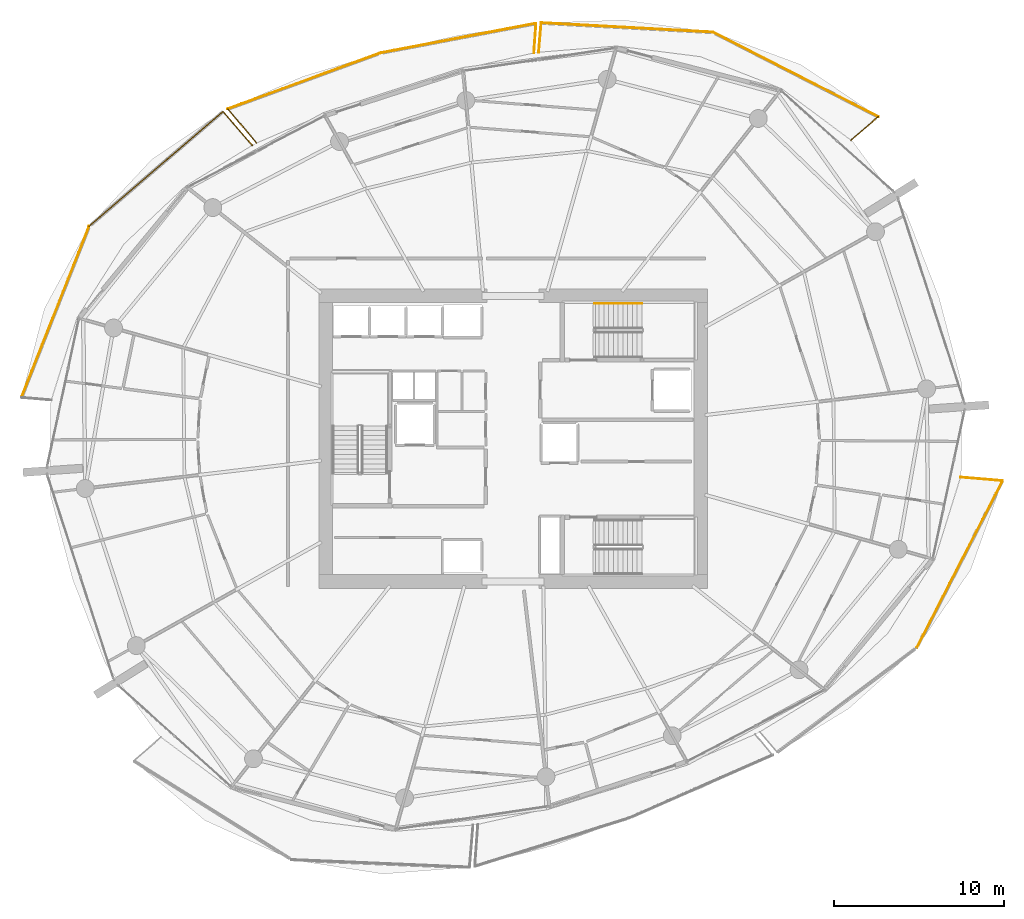
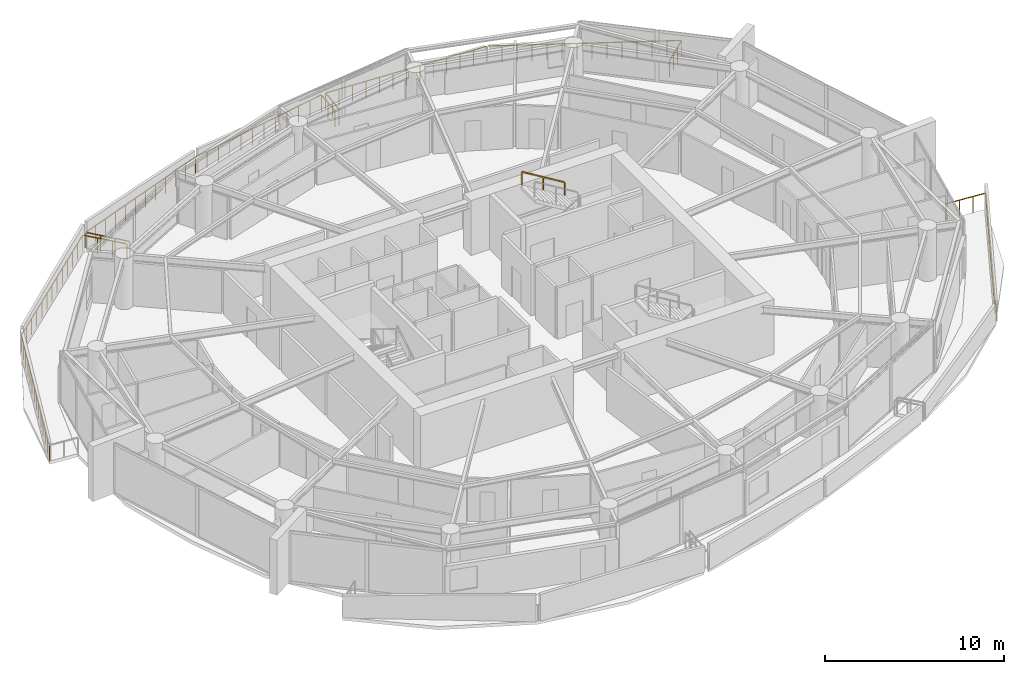
# One storey, part 20 of 20: 14 railings.
"""IFC4 building model written with IfcOpenShell, lengths in metres."""

from ifc_helpers import new_model, si_unit, direction, frame, origin, origin_2d, place, context, subcontext, project, spatial, rectangle, extrude, material, type_object, element, save


model = new_model("IFC4")

# Units and contexts
model_context = context("Model", 3, precision=1e-05, world=origin(), true_north=direction((0.0, 1.0)))
body_context = subcontext(model_context, "Body", "Model", "MODEL_VIEW")
ifc_project = project(units=[si_unit("LENGTHUNIT", "METRE"), si_unit("AREAUNIT", "SQUARE_METRE"), si_unit("VOLUMEUNIT", "CUBIC_METRE"), si_unit("PLANEANGLEUNIT", "RADIAN"), si_unit("MASSUNIT", "GRAM", prefix="KILO")], contexts=[model_context])

# Site, building, storey
site_placement = place(None, origin())
site = spatial("IfcSite", under=ifc_project, at=site_placement, CompositionType="ELEMENT")
building_placement = place(site_placement, origin())
building = spatial("IfcBuilding", under=site, at=building_placement, Name="Kazma Halo Residences", CompositionType="ELEMENT")
storey_placement = place(building_placement, frame((0.0, 0.0, 146.550048828125)))
storey = spatial("IfcBuildingStorey", under=building, at=storey_placement, Name="L36", CompositionType="ELEMENT", Elevation=146.550048828125)

# Railings
ifc_material_1 = material(Name="Aluminium AW-6063 T6 Brushed Cap Rail", Category="aluminium")
railing_type_1 = type_object("IfcRailingType", Name="RLG-BAL-CAP-1120", PredefinedType="BALUSTRADE", material=ifc_material_1)
railing_1_placement = place(storey_placement, frame((68.294677734375, 59.548583984375, 0.0)))
element("IfcRailing", 1, at=railing_1_placement, inside=storey, type_object=railing_type_1, Name="L36 NE wave balcony guard 1", PredefinedType="BALUSTRADE", context=body_context, shape_type="SweptSolid", body=[
    extrude(rectangle(XDim=0.050048828125, YDim=0.050048828125, at=origin_2d()), frame((0.0322265625, 0.02783203125, 1.09521484375), z_axis=(0.756372461646, 0.654141192147, 0.0), x_axis=(-0.654141192147, 0.756372461646, 0.0)), (0.0, 0.0, 1.0), 2.023681640625),
    extrude(rectangle(XDim=0.0400390625, YDim=0.0400390625, at=origin_2d()), origin(), (0.0, 0.0, 1.0), 1.05810546875),
    extrude(rectangle(XDim=0.0400390625, YDim=0.0400390625, at=origin_2d()), frame((0.53173828125, 0.459716796875, 0.0)), (0.0, 0.0, 1.0), 1.05810546875),
    extrude(rectangle(XDim=0.0400390625, YDim=0.0400390625, at=origin_2d()), frame((1.063232421875, 0.919677734375, 0.0)), (0.0, 0.0, 1.0), 1.05810546875),
    extrude(rectangle(XDim=0.0400390625, YDim=0.0400390625, at=origin_2d()), frame((1.594970703125, 1.37939453125, 0.0)), (0.0, 0.0, 1.0), 1.05810546875),
])
railing_2_placement = place(storey_placement, frame((69.8896484375, 60.927978515625, 0.0)))
element("IfcRailing", 2, at=railing_2_placement, inside=storey, type_object=railing_type_1, Name="L36 NE wave balcony guard 2", PredefinedType="BALUSTRADE", context=body_context, shape_type="SweptSolid", body=[
    extrude(rectangle(XDim=0.050048828125, YDim=0.050048828125, at=origin_2d()), frame((-0.037841796875, 0.019287109375, 1.09521484375), z_axis=(-0.890194561223, 0.45558055618, 0.0), x_axis=(-0.45558055618, -0.890194561223, 0.0)), (0.0, 0.0, 1.0), 10.82568359375),
    extrude(rectangle(XDim=0.0400390625, YDim=0.0400390625, at=origin_2d()), origin(), (0.0, 0.0, 1.0), 1.05810546875),
    extrude(rectangle(XDim=0.0400390625, YDim=0.0400390625, at=origin_2d()), frame((-0.7470703125, 0.38232421875, 0.0)), (0.0, 0.0, 1.0), 1.05810546875),
    extrude(rectangle(XDim=0.0400390625, YDim=0.0400390625, at=origin_2d()), frame((-1.494140625, 0.7646484375, 0.0)), (0.0, 0.0, 1.0), 1.05810546875),
    extrude(rectangle(XDim=0.0400390625, YDim=0.0400390625, at=origin_2d()), frame((-2.241455078125, 1.14697265625, 0.0)), (0.0, 0.0, 1.0), 1.05810546875),
    extrude(rectangle(XDim=0.0400390625, YDim=0.0400390625, at=origin_2d()), frame((-2.988525390625, 1.529541015625, 0.0)), (0.0, 0.0, 1.0), 1.05810546875),
    extrude(rectangle(XDim=0.0400390625, YDim=0.0400390625, at=origin_2d()), frame((-3.735595703125, 1.911865234375, 0.0)), (0.0, 0.0, 1.0), 1.05810546875),
    extrude(rectangle(XDim=0.0400390625, YDim=0.0400390625, at=origin_2d()), frame((-4.482666015625, 2.294189453125, 0.0)), (0.0, 0.0, 1.0), 1.05810546875),
    extrude(rectangle(XDim=0.0400390625, YDim=0.0400390625, at=origin_2d()), frame((-5.22998046875, 2.676513671875, 0.0)), (0.0, 0.0, 1.0), 1.05810546875),
    extrude(rectangle(XDim=0.0400390625, YDim=0.0400390625, at=origin_2d()), frame((-5.97705078125, 3.058837890625, 0.0)), (0.0, 0.0, 1.0), 1.05810546875),
    extrude(rectangle(XDim=0.0400390625, YDim=0.0400390625, at=origin_2d()), frame((-6.72412109375, 3.441162109375, 0.0)), (0.0, 0.0, 1.0), 1.05810546875),
    extrude(rectangle(XDim=0.0400390625, YDim=0.0400390625, at=origin_2d()), frame((-7.47119140625, 3.82373046875, 0.0)), (0.0, 0.0, 1.0), 1.05810546875),
    extrude(rectangle(XDim=0.0400390625, YDim=0.0400390625, at=origin_2d()), frame((-8.218505859375, 4.2060546875, 0.0)), (0.0, 0.0, 1.0), 1.05810546875),
    extrude(rectangle(XDim=0.0400390625, YDim=0.0400390625, at=origin_2d()), frame((-8.965576171875, 4.58837890625, 0.0)), (0.0, 0.0, 1.0), 1.05810546875),
    extrude(rectangle(XDim=0.0400390625, YDim=0.0400390625, at=origin_2d()), frame((-9.712646484375, 4.970703125, 0.0)), (0.0, 0.0, 1.0), 1.05810546875),
])
railing_3_placement = place(storey_placement, frame((60.177001953125, 65.898681640625, 0.0)))
element("IfcRailing", 3, at=railing_3_placement, inside=storey, type_object=railing_type_1, Name="L36 NE wave balcony guard 3", PredefinedType="BALUSTRADE", context=body_context, shape_type="SweptSolid", body=[
    extrude(rectangle(XDim=0.050048828125, YDim=0.050048828125, at=origin_2d()), frame((-0.04248046875, 0.002197265625, 1.09521484375), z_axis=(-0.998521071605, 0.054366069945, 0.0), x_axis=(-0.054366069945, -0.998521071605, 0.0)), (0.0, 0.0, 1.0), 10.032470703125),
    extrude(rectangle(XDim=0.0400390625, YDim=0.0400390625, at=origin_2d()), origin(), (0.0, 0.0, 1.0), 1.05810546875),
    extrude(rectangle(XDim=0.0400390625, YDim=0.0400390625, at=origin_2d()), frame((-0.841796875, 0.0458984375, 0.0)), (0.0, 0.0, 1.0), 1.05810546875),
    extrude(rectangle(XDim=0.0400390625, YDim=0.0400390625, at=origin_2d()), frame((-1.683837890625, 0.091796875, 0.0)), (0.0, 0.0, 1.0), 1.05810546875),
    extrude(rectangle(XDim=0.0400390625, YDim=0.0400390625, at=origin_2d()), frame((-2.525634765625, 0.137451171875, 0.0)), (0.0, 0.0, 1.0), 1.05810546875),
    extrude(rectangle(XDim=0.0400390625, YDim=0.0400390625, at=origin_2d()), frame((-3.367431640625, 0.183349609375, 0.0)), (0.0, 0.0, 1.0), 1.05810546875),
    extrude(rectangle(XDim=0.0400390625, YDim=0.0400390625, at=origin_2d()), frame((-4.20947265625, 0.229248046875, 0.0)), (0.0, 0.0, 1.0), 1.05810546875),
    extrude(rectangle(XDim=0.0400390625, YDim=0.0400390625, at=origin_2d()), frame((-5.05126953125, 0.27490234375, 0.0)), (0.0, 0.0, 1.0), 1.05810546875),
    extrude(rectangle(XDim=0.0400390625, YDim=0.0400390625, at=origin_2d()), frame((-5.89306640625, 0.32080078125, 0.0)), (0.0, 0.0, 1.0), 1.05810546875),
    extrude(rectangle(XDim=0.0400390625, YDim=0.0400390625, at=origin_2d()), frame((-6.735107421875, 0.36669921875, 0.0)), (0.0, 0.0, 1.0), 1.05810546875),
    extrude(rectangle(XDim=0.0400390625, YDim=0.0400390625, at=origin_2d()), frame((-7.576904296875, 0.41259765625, 0.0)), (0.0, 0.0, 1.0), 1.05810546875),
    extrude(rectangle(XDim=0.0400390625, YDim=0.0400390625, at=origin_2d()), frame((-8.418701171875, 0.45849609375, 0.0)), (0.0, 0.0, 1.0), 1.05810546875),
    extrude(rectangle(XDim=0.0400390625, YDim=0.0400390625, at=origin_2d()), frame((-9.2607421875, 0.504150390625, 0.0)), (0.0, 0.0, 1.0), 1.05810546875),
    extrude(rectangle(XDim=0.0400390625, YDim=0.0400390625, at=origin_2d()), frame((-10.1025390625, 0.550048828125, 0.0)), (0.0, 0.0, 1.0), 1.05810546875),
])
railing_4_placement = place(storey_placement, frame((50.074462890625, 66.44873046875, 0.0)))
element("IfcRailing", 4, at=railing_4_placement, inside=storey, type_object=railing_type_1, Name="L36 NE wave balcony guard 4", PredefinedType="BALUSTRADE", context=body_context, shape_type="SweptSolid", body=[
    extrude(rectangle(XDim=0.050048828125, YDim=0.050048828125, at=origin_2d()), frame((-0.003662109375, -0.04248046875, 1.09521484375), z_axis=(-0.084454920282, -0.996427301131, 0.0), x_axis=(0.996427301131, -0.084454920282, 0.0)), (0.0, 0.0, 1.0), 1.6494140625),
    extrude(rectangle(XDim=0.0400390625, YDim=0.0400390625, at=origin_2d()), origin(), (0.0, 0.0, 1.0), 1.05810546875),
    extrude(rectangle(XDim=0.0400390625, YDim=0.0400390625, at=origin_2d()), frame((-0.0732421875, -0.8642578125, 0.0)), (0.0, 0.0, 1.0), 1.05810546875),
    extrude(rectangle(XDim=0.0400390625, YDim=0.0400390625, at=origin_2d()), frame((-0.146484375, -1.728271484375, 0.0)), (0.0, 0.0, 1.0), 1.05810546875),
])
railing_5_placement = place(storey_placement, frame((49.6455078125, 64.67822265625, 0.0)))
element("IfcRailing", 5, at=railing_5_placement, inside=storey, type_object=railing_type_1, Name="L36 NNW wave balcony guard 1", PredefinedType="BALUSTRADE", context=body_context, shape_type="SweptSolid", body=[
    extrude(rectangle(XDim=0.050048828125, YDim=0.050048828125, at=origin_2d()), frame((0.003173828125, 0.04248046875, 1.09521484375), z_axis=(0.072391344873, 0.997376304705, 0.0), x_axis=(-0.997376304705, 0.072391344873, 0.0)), (0.0, 0.0, 1.0), 1.658447265625),
    extrude(rectangle(XDim=0.0400390625, YDim=0.0400390625, at=origin_2d()), origin(), (0.0, 0.0, 1.0), 1.05810546875),
    extrude(rectangle(XDim=0.0400390625, YDim=0.0400390625, at=origin_2d()), frame((0.06298828125, 0.86962890625, 0.0)), (0.0, 0.0, 1.0), 1.05810546875),
    extrude(rectangle(XDim=0.0400390625, YDim=0.0400390625, at=origin_2d()), frame((0.126220703125, 1.739013671875, 0.0)), (0.0, 0.0, 1.0), 1.05810546875),
])
railing_6_placement = place(storey_placement, frame((49.771728515625, 66.417236328125, 0.0)))
element("IfcRailing", 6, at=railing_6_placement, inside=storey, type_object=railing_type_1, Name="L36 NNW wave balcony guard 2", PredefinedType="BALUSTRADE", context=body_context, shape_type="SweptSolid", body=[
    extrude(rectangle(XDim=0.050048828125, YDim=0.050048828125, at=origin_2d()), frame((-0.041748046875, -0.008056640625, 1.09521484375), z_axis=(-0.982403273544, -0.186772075349, 0.0), x_axis=(0.186772075349, -0.982403273544, 0.0)), (0.0, 0.0, 1.0), 9.21923828125),
    extrude(rectangle(XDim=0.0400390625, YDim=0.0400390625, at=origin_2d()), origin(), (0.0, 0.0, 1.0), 1.05810546875),
    extrude(rectangle(XDim=0.0400390625, YDim=0.0400390625, at=origin_2d()), frame((-0.8310546875, -0.157958984375, 0.0)), (0.0, 0.0, 1.0), 1.05810546875),
    extrude(rectangle(XDim=0.0400390625, YDim=0.0400390625, at=origin_2d()), frame((-1.661865234375, -0.31591796875, 0.0)), (0.0, 0.0, 1.0), 1.05810546875),
    extrude(rectangle(XDim=0.0400390625, YDim=0.0400390625, at=origin_2d()), frame((-2.492919921875, -0.473876953125, 0.0)), (0.0, 0.0, 1.0), 1.05810546875),
    extrude(rectangle(XDim=0.0400390625, YDim=0.0400390625, at=origin_2d()), frame((-3.323974609375, -0.6318359375, 0.0)), (0.0, 0.0, 1.0), 1.05810546875),
    extrude(rectangle(XDim=0.0400390625, YDim=0.0400390625, at=origin_2d()), frame((-4.15478515625, -0.789794921875, 0.0)), (0.0, 0.0, 1.0), 1.05810546875),
    extrude(rectangle(XDim=0.0400390625, YDim=0.0400390625, at=origin_2d()), frame((-4.98583984375, -0.947998046875, 0.0)), (0.0, 0.0, 1.0), 1.05810546875),
    extrude(rectangle(XDim=0.0400390625, YDim=0.0400390625, at=origin_2d()), frame((-5.816650390625, -1.10595703125, 0.0)), (0.0, 0.0, 1.0), 1.05810546875),
    extrude(rectangle(XDim=0.0400390625, YDim=0.0400390625, at=origin_2d()), frame((-6.647705078125, -1.263916015625, 0.0)), (0.0, 0.0, 1.0), 1.05810546875),
    extrude(rectangle(XDim=0.0400390625, YDim=0.0400390625, at=origin_2d()), frame((-7.478759765625, -1.421875, 0.0)), (0.0, 0.0, 1.0), 1.05810546875),
    extrude(rectangle(XDim=0.0400390625, YDim=0.0400390625, at=origin_2d()), frame((-8.3095703125, -1.579833984375, 0.0)), (0.0, 0.0, 1.0), 1.05810546875),
    extrude(rectangle(XDim=0.0400390625, YDim=0.0400390625, at=origin_2d()), frame((-9.140625, -1.73779296875, 0.0)), (0.0, 0.0, 1.0), 1.05810546875),
])
railing_7_placement = place(storey_placement, frame((40.631103515625, 64.679443359375, 0.0)))
element("IfcRailing", 7, at=railing_7_placement, inside=storey, type_object=railing_type_1, Name="L36 NNW wave balcony guard 3", PredefinedType="BALUSTRADE", context=body_context, shape_type="SweptSolid", body=[
    extrude(rectangle(XDim=0.050048828125, YDim=0.050048828125, at=origin_2d()), frame((-0.0400390625, -0.0146484375, 1.09521484375), z_axis=(-0.938895555722, -0.344202172344, 0.0), x_axis=(0.344202172344, -0.938895555722, 0.0)), (0.0, 0.0, 1.0), 9.48388671875),
    extrude(rectangle(XDim=0.0400390625, YDim=0.0400390625, at=origin_2d()), origin(), (0.0, 0.0, 1.0), 1.05810546875),
    extrude(rectangle(XDim=0.0400390625, YDim=0.0400390625, at=origin_2d()), frame((-0.816650390625, -0.29931640625, 0.0)), (0.0, 0.0, 1.0), 1.05810546875),
    extrude(rectangle(XDim=0.0400390625, YDim=0.0400390625, at=origin_2d()), frame((-1.633544921875, -0.598876953125, 0.0)), (0.0, 0.0, 1.0), 1.05810546875),
    extrude(rectangle(XDim=0.0400390625, YDim=0.0400390625, at=origin_2d()), frame((-2.4501953125, -0.898193359375, 0.0)), (0.0, 0.0, 1.0), 1.05810546875),
    extrude(rectangle(XDim=0.0400390625, YDim=0.0400390625, at=origin_2d()), frame((-3.26708984375, -1.19775390625, 0.0)), (0.0, 0.0, 1.0), 1.05810546875),
    extrude(rectangle(XDim=0.0400390625, YDim=0.0400390625, at=origin_2d()), frame((-4.083740234375, -1.4970703125, 0.0)), (0.0, 0.0, 1.0), 1.05810546875),
    extrude(rectangle(XDim=0.0400390625, YDim=0.0400390625, at=origin_2d()), frame((-4.900634765625, -1.796630859375, 0.0)), (0.0, 0.0, 1.0), 1.05810546875),
    extrude(rectangle(XDim=0.0400390625, YDim=0.0400390625, at=origin_2d()), frame((-5.71728515625, -2.095947265625, 0.0)), (0.0, 0.0, 1.0), 1.05810546875),
    extrude(rectangle(XDim=0.0400390625, YDim=0.0400390625, at=origin_2d()), frame((-6.5341796875, -2.3955078125, 0.0)), (0.0, 0.0, 1.0), 1.05810546875),
    extrude(rectangle(XDim=0.0400390625, YDim=0.0400390625, at=origin_2d()), frame((-7.350830078125, -2.69482421875, 0.0)), (0.0, 0.0, 1.0), 1.05810546875),
    extrude(rectangle(XDim=0.0400390625, YDim=0.0400390625, at=origin_2d()), frame((-8.167724609375, -2.994384765625, 0.0)), (0.0, 0.0, 1.0), 1.05810546875),
    extrude(rectangle(XDim=0.0400390625, YDim=0.0400390625, at=origin_2d()), frame((-8.984375, -3.293701171875, 0.0)), (0.0, 0.0, 1.0), 1.05810546875),
])
railing_8_placement = place(storey_placement, frame((31.646728515625, 61.3857421875, 0.0)))
element("IfcRailing", 8, at=railing_8_placement, inside=storey, type_object=railing_type_1, Name="L36 NNW wave balcony guard 4", PredefinedType="BALUSTRADE", context=body_context, shape_type="SweptSolid", body=[
    extrude(rectangle(XDim=0.050048828125, YDim=0.050048828125, at=origin_2d()), frame((0.02734375, -0.032470703125, 1.09521484375), z_axis=(0.644803007039, -0.764348796109, 0.0), x_axis=(0.764348796109, 0.644803007039, 0.0)), (0.0, 0.0, 1.0), 2.539306640625),
    extrude(rectangle(XDim=0.0400390625, YDim=0.0400390625, at=origin_2d()), origin(), (0.0, 0.0, 1.0), 1.05810546875),
    extrude(rectangle(XDim=0.0400390625, YDim=0.0400390625, at=origin_2d()), frame((0.56396484375, -0.668701171875, 0.0)), (0.0, 0.0, 1.0), 1.05810546875),
    extrude(rectangle(XDim=0.0400390625, YDim=0.0400390625, at=origin_2d()), frame((1.128173828125, -1.337158203125, 0.0)), (0.0, 0.0, 1.0), 1.05810546875),
    extrude(rectangle(XDim=0.0400390625, YDim=0.0400390625, at=origin_2d()), frame((1.692138671875, -2.005859375, 0.0)), (0.0, 0.0, 1.0), 1.05810546875),
])
railing_9_placement = place(storey_placement, frame((33.08544921875, 59.248046875, 0.0)))
element("IfcRailing", 9, at=railing_9_placement, inside=storey, type_object=railing_type_1, Name="L36 NW wave balcony guard 1", PredefinedType="BALUSTRADE", context=body_context, shape_type="SweptSolid", body=[
    extrude(rectangle(XDim=0.050048828125, YDim=0.050048828125, at=origin_2d()), frame((-0.02783203125, 0.0322265625, 1.09521484375), z_axis=(-0.654028426736, 0.756469970998, 0.0), x_axis=(-0.756469970998, -0.654028426736, 0.0)), (0.0, 0.0, 1.0), 2.543701171875),
    extrude(rectangle(XDim=0.0400390625, YDim=0.0400390625, at=origin_2d()), origin(), (0.0, 0.0, 1.0), 1.05810546875),
    extrude(rectangle(XDim=0.0400390625, YDim=0.0400390625, at=origin_2d()), frame((-0.572998046875, 0.662841796875, 0.0)), (0.0, 0.0, 1.0), 1.05810546875),
    extrude(rectangle(XDim=0.0400390625, YDim=0.0400390625, at=origin_2d()), frame((-1.146240234375, 1.32568359375, 0.0)), (0.0, 0.0, 1.0), 1.05810546875),
    extrude(rectangle(XDim=0.0400390625, YDim=0.0400390625, at=origin_2d()), frame((-1.71923828125, 1.988525390625, 0.0)), (0.0, 0.0, 1.0), 1.05810546875),
])
railing_10_placement = place(storey_placement, frame((31.3662109375, 61.236572265625, 0.0)))
element("IfcRailing", 10, at=railing_10_placement, inside=storey, type_object=railing_type_1, Name="L36 NW wave balcony guard 2", PredefinedType="BALUSTRADE", context=body_context, shape_type="SweptSolid", body=[
    extrude(rectangle(XDim=0.050048828125, YDim=0.050048828125, at=origin_2d()), frame((-0.0322265625, -0.027587890625, 1.09521484375), z_axis=(-0.758998932096, -0.651091868385, 0.0), x_axis=(0.651091868385, -0.758998932096, 0.0)), (0.0, 0.0, 1.0), 10.283935546875),
    extrude(rectangle(XDim=0.0400390625, YDim=0.0400390625, at=origin_2d()), origin(), (0.0, 0.0, 1.0), 1.05810546875),
    extrude(rectangle(XDim=0.0400390625, YDim=0.0400390625, at=origin_2d()), frame((-0.65576171875, -0.5625, 0.0)), (0.0, 0.0, 1.0), 1.05810546875),
    extrude(rectangle(XDim=0.0400390625, YDim=0.0400390625, at=origin_2d()), frame((-1.311767578125, -1.125244140625, 0.0)), (0.0, 0.0, 1.0), 1.05810546875),
    extrude(rectangle(XDim=0.0400390625, YDim=0.0400390625, at=origin_2d()), frame((-1.967529296875, -1.687744140625, 0.0)), (0.0, 0.0, 1.0), 1.05810546875),
    extrude(rectangle(XDim=0.0400390625, YDim=0.0400390625, at=origin_2d()), frame((-2.623291015625, -2.25048828125, 0.0)), (0.0, 0.0, 1.0), 1.05810546875),
    extrude(rectangle(XDim=0.0400390625, YDim=0.0400390625, at=origin_2d()), frame((-3.279296875, -2.81298828125, 0.0)), (0.0, 0.0, 1.0), 1.05810546875),
    extrude(rectangle(XDim=0.0400390625, YDim=0.0400390625, at=origin_2d()), frame((-3.93505859375, -3.37548828125, 0.0)), (0.0, 0.0, 1.0), 1.05810546875),
    extrude(rectangle(XDim=0.0400390625, YDim=0.0400390625, at=origin_2d()), frame((-4.5908203125, -3.938232421875, 0.0)), (0.0, 0.0, 1.0), 1.05810546875),
    extrude(rectangle(XDim=0.0400390625, YDim=0.0400390625, at=origin_2d()), frame((-5.246826171875, -4.500732421875, 0.0)), (0.0, 0.0, 1.0), 1.05810546875),
    extrude(rectangle(XDim=0.0400390625, YDim=0.0400390625, at=origin_2d()), frame((-5.902587890625, -5.0634765625, 0.0)), (0.0, 0.0, 1.0), 1.05810546875),
    extrude(rectangle(XDim=0.0400390625, YDim=0.0400390625, at=origin_2d()), frame((-6.558349609375, -5.6259765625, 0.0)), (0.0, 0.0, 1.0), 1.05810546875),
    extrude(rectangle(XDim=0.0400390625, YDim=0.0400390625, at=origin_2d()), frame((-7.21435546875, -6.188720703125, 0.0)), (0.0, 0.0, 1.0), 1.05810546875),
    extrude(rectangle(XDim=0.0400390625, YDim=0.0400390625, at=origin_2d()), frame((-7.8701171875, -6.751220703125, 0.0)), (0.0, 0.0, 1.0), 1.05810546875),
])
railing_11_placement = place(storey_placement, frame((23.49609375, 54.4853515625, 0.0)))
element("IfcRailing", 11, at=railing_11_placement, inside=storey, type_object=railing_type_1, Name="L36 NW wave balcony guard 3", PredefinedType="BALUSTRADE", context=body_context, shape_type="SweptSolid", body=[
    extrude(rectangle(XDim=0.050048828125, YDim=0.050048828125, at=origin_2d()), frame((-0.015625, -0.03955078125, 1.09521484375), z_axis=(-0.367674762785, -0.929954444481, 0.0), x_axis=(0.929954444481, -0.367674762785, 0.0)), (0.0, 0.0, 1.0), 10.74169921875),
    extrude(rectangle(XDim=0.0400390625, YDim=0.0400390625, at=origin_2d()), origin(), (0.0, 0.0, 1.0), 1.05810546875),
    extrude(rectangle(XDim=0.0400390625, YDim=0.0400390625, at=origin_2d()), frame((-0.30615234375, -0.7744140625, 0.0)), (0.0, 0.0, 1.0), 1.05810546875),
    extrude(rectangle(XDim=0.0400390625, YDim=0.0400390625, at=origin_2d()), frame((-0.6123046875, -1.549072265625, 0.0)), (0.0, 0.0, 1.0), 1.05810546875),
    extrude(rectangle(XDim=0.0400390625, YDim=0.0400390625, at=origin_2d()), frame((-0.918701171875, -2.323486328125, 0.0)), (0.0, 0.0, 1.0), 1.05810546875),
    extrude(rectangle(XDim=0.0400390625, YDim=0.0400390625, at=origin_2d()), frame((-1.224853515625, -3.097900390625, 0.0)), (0.0, 0.0, 1.0), 1.05810546875),
    extrude(rectangle(XDim=0.0400390625, YDim=0.0400390625, at=origin_2d()), frame((-1.531005859375, -3.87255859375, 0.0)), (0.0, 0.0, 1.0), 1.05810546875),
    extrude(rectangle(XDim=0.0400390625, YDim=0.0400390625, at=origin_2d()), frame((-1.837158203125, -4.64697265625, 0.0)), (0.0, 0.0, 1.0), 1.05810546875),
    extrude(rectangle(XDim=0.0400390625, YDim=0.0400390625, at=origin_2d()), frame((-2.1435546875, -5.42138671875, 0.0)), (0.0, 0.0, 1.0), 1.05810546875),
    extrude(rectangle(XDim=0.0400390625, YDim=0.0400390625, at=origin_2d()), frame((-2.44970703125, -6.19580078125, 0.0)), (0.0, 0.0, 1.0), 1.05810546875),
    extrude(rectangle(XDim=0.0400390625, YDim=0.0400390625, at=origin_2d()), frame((-2.755859375, -6.970458984375, 0.0)), (0.0, 0.0, 1.0), 1.05810546875),
    extrude(rectangle(XDim=0.0400390625, YDim=0.0400390625, at=origin_2d()), frame((-3.06201171875, -7.744873046875, 0.0)), (0.0, 0.0, 1.0), 1.05810546875),
    extrude(rectangle(XDim=0.0400390625, YDim=0.0400390625, at=origin_2d()), frame((-3.368408203125, -8.519287109375, 0.0)), (0.0, 0.0, 1.0), 1.05810546875),
    extrude(rectangle(XDim=0.0400390625, YDim=0.0400390625, at=origin_2d()), frame((-3.674560546875, -9.2939453125, 0.0)), (0.0, 0.0, 1.0), 1.05810546875),
    extrude(rectangle(XDim=0.0400390625, YDim=0.0400390625, at=origin_2d()), frame((-3.980712890625, -10.068359375, 0.0)), (0.0, 0.0, 1.0), 1.05810546875),
])
railing_12_placement = place(storey_placement, frame((72.1494140625, 29.6953125, 0.0)))
element("IfcRailing", 12, at=railing_12_placement, inside=storey, type_object=railing_type_1, Name="L36 SE wave balcony guard 3", PredefinedType="BALUSTRADE", context=body_context, shape_type="SweptSolid", body=[
    extrude(rectangle(XDim=0.050048828125, YDim=0.050048828125, at=origin_2d()), frame((0.01953125, 0.037841796875, 1.09521484375), z_axis=(0.45738295705, 0.889269830029, 0.0), x_axis=(-0.889269830029, 0.45738295705, 0.0)), (0.0, 0.0, 1.0), 10.965087890625),
    extrude(rectangle(XDim=0.0400390625, YDim=0.0400390625, at=origin_2d()), origin(), (0.0, 0.0, 1.0), 1.05810546875),
    extrude(rectangle(XDim=0.0400390625, YDim=0.0400390625, at=origin_2d()), frame((0.388671875, 0.755859375, 0.0)), (0.0, 0.0, 1.0), 1.05810546875),
    extrude(rectangle(XDim=0.0400390625, YDim=0.0400390625, at=origin_2d()), frame((0.777587890625, 1.51171875, 0.0)), (0.0, 0.0, 1.0), 1.05810546875),
    extrude(rectangle(XDim=0.0400390625, YDim=0.0400390625, at=origin_2d()), frame((1.166259765625, 2.267578125, 0.0)), (0.0, 0.0, 1.0), 1.05810546875),
    extrude(rectangle(XDim=0.0400390625, YDim=0.0400390625, at=origin_2d()), frame((1.55517578125, 3.023681640625, 0.0)), (0.0, 0.0, 1.0), 1.05810546875),
    extrude(rectangle(XDim=0.0400390625, YDim=0.0400390625, at=origin_2d()), frame((1.94384765625, 3.779541015625, 0.0)), (0.0, 0.0, 1.0), 1.05810546875),
    extrude(rectangle(XDim=0.0400390625, YDim=0.0400390625, at=origin_2d()), frame((2.332763671875, 4.535400390625, 0.0)), (0.0, 0.0, 1.0), 1.05810546875),
    extrude(rectangle(XDim=0.0400390625, YDim=0.0400390625, at=origin_2d()), frame((2.721435546875, 5.291259765625, 0.0)), (0.0, 0.0, 1.0), 1.05810546875),
    extrude(rectangle(XDim=0.0400390625, YDim=0.0400390625, at=origin_2d()), frame((3.1103515625, 6.047119140625, 0.0)), (0.0, 0.0, 1.0), 1.05810546875),
    extrude(rectangle(XDim=0.0400390625, YDim=0.0400390625, at=origin_2d()), frame((3.4990234375, 6.802978515625, 0.0)), (0.0, 0.0, 1.0), 1.05810546875),
    extrude(rectangle(XDim=0.0400390625, YDim=0.0400390625, at=origin_2d()), frame((3.887939453125, 7.55908203125, 0.0)), (0.0, 0.0, 1.0), 1.05810546875),
    extrude(rectangle(XDim=0.0400390625, YDim=0.0400390625, at=origin_2d()), frame((4.276611328125, 8.31494140625, 0.0)), (0.0, 0.0, 1.0), 1.05810546875),
    extrude(rectangle(XDim=0.0400390625, YDim=0.0400390625, at=origin_2d()), frame((4.66552734375, 9.07080078125, 0.0)), (0.0, 0.0, 1.0), 1.05810546875),
    extrude(rectangle(XDim=0.0400390625, YDim=0.0400390625, at=origin_2d()), frame((5.05419921875, 9.82666015625, 0.0)), (0.0, 0.0, 1.0), 1.05810546875),
])
railing_13_placement = place(storey_placement, frame((77.20361328125, 39.52197265625, 0.0)))
element("IfcRailing", 13, at=railing_13_placement, inside=storey, type_object=railing_type_1, Name="L36 SE wave balcony guard 4", PredefinedType="BALUSTRADE", context=body_context, shape_type="SweptSolid", body=[
    extrude(rectangle(XDim=0.050048828125, YDim=0.050048828125, at=origin_2d()), frame((-0.04248046875, 0.003662109375, 1.09521484375), z_axis=(-0.99641551306, 0.084593884732, 0.0), x_axis=(-0.084593884732, -0.99641551306, 0.0)), (0.0, 0.0, 1.0), 2.39404296875),
    extrude(rectangle(XDim=0.0400390625, YDim=0.0400390625, at=origin_2d()), origin(), (0.0, 0.0, 1.0), 1.05810546875),
    extrude(rectangle(XDim=0.0400390625, YDim=0.0400390625, at=origin_2d()), frame((-0.823486328125, 0.06982421875, 0.0)), (0.0, 0.0, 1.0), 1.05810546875),
    extrude(rectangle(XDim=0.0400390625, YDim=0.0400390625, at=origin_2d()), frame((-1.646728515625, 0.139892578125, 0.0)), (0.0, 0.0, 1.0), 1.05810546875),
    extrude(rectangle(XDim=0.0400390625, YDim=0.0400390625, at=origin_2d()), frame((-2.47021484375, 0.209716796875, 0.0)), (0.0, 0.0, 1.0), 1.05810546875),
])
ifc_material_2 = material(Name="Brushed Stainless Steel", Category="steel")
railing_type_2 = type_object("IfcRailingType", Name="RLG-STAIR-HND-900", PredefinedType="HANDRAIL", material=ifc_material_2)
railing_14_placement = place(storey_placement, frame((56.0, 49.949951171875, 2.04541015625)))
element("IfcRailing", 14, at=railing_14_placement, inside=storey, type_object=railing_type_2, Name="L36 ST-02 stair handrail 2", PredefinedType="HANDRAIL", context=body_context, shape_type="SweptSolid", body=[
    extrude(rectangle(XDim=0.050048828125, YDim=0.050048828125, at=origin_2d()), frame((-0.036376953125, 0.0, 0.89697265625), z_axis=(-0.854169791009, 0.0, 0.51999420009), x_axis=(0.0, -1.0, 0.0)), (0.0, 0.0, 1.0), 3.193115234375),
    extrude(rectangle(XDim=0.0400390625, YDim=0.0400390625, at=origin_2d()), origin(), (0.0, 0.0, 1.0), 0.837890625),
    extrude(rectangle(XDim=0.0400390625, YDim=0.0400390625, at=origin_2d()), frame((-1.39990234375, 0.0, 0.852294921875)), (0.0, 0.0, 1.0), 0.837890625),
    extrude(rectangle(XDim=0.0400390625, YDim=0.0400390625, at=origin_2d()), frame((-2.800048828125, 0.0, 1.70458984375)), (0.0, 0.0, 1.0), 0.837890625),
])

save(model, "model.ifc")
